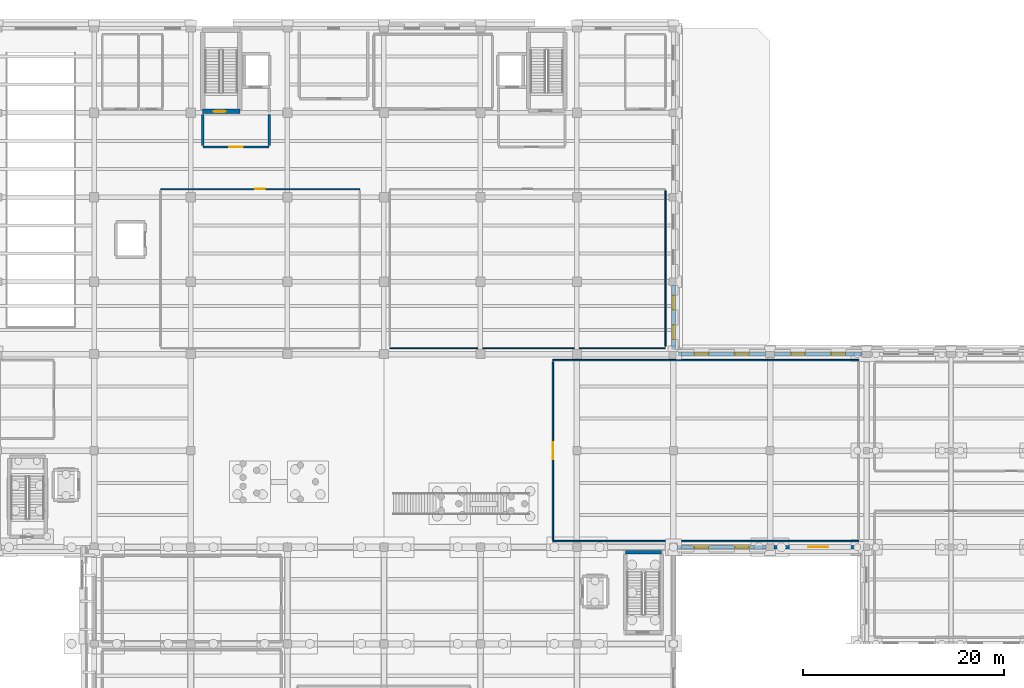
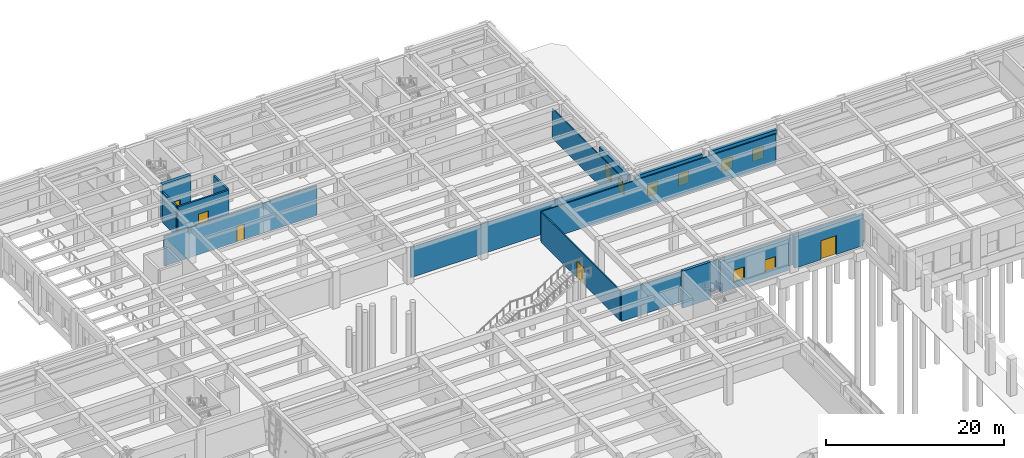
# One storey, part 34 of 51: 16 walls, 8 windows, 5 doors, 13 openings.
"""IFC4 building model written with IfcOpenShell, lengths in metres."""

import ifcopenshell
import ifcopenshell.guid

model = None  # the IFC model being written
_history = None  # IfcOwnerHistory: only IFC2X3 demands one
_inside = {}  # id of a spatial element -> (the spatial element, [elements in it])
_under = {}  # id of a project, library or spatial element -> (it, [spatial elements below it])
_declared = {}  # id of a project -> (the project, [libraries it declares])
_typed = {}  # id of a type object -> (the type object, [elements of that type])
_made_of = {}  # id of a material, layer set ... -> (it, [elements and type objects made of it])


def new_model(schema):
    """Start an empty IFC model of exactly this schema.

    Asked for "IFC4X3", IfcOpenShell would pick the latest addendum, in which some entities
    have other attributes; the version numbers below select the first issue.
    IFC2X3 requires an IfcOwnerHistory on every rooted entity: one is made here for all.
    """
    global model, _history
    if schema == "IFC4X3":
        model = ifcopenshell.file(schema_version=(4, 3, 0, 0))
    else:
        model = ifcopenshell.file(schema=schema)
    _inside.clear()
    _under.clear()
    _declared.clear()
    _typed.clear()
    _made_of.clear()
    _history = None
    if model.schema == "IFC2X3":
        org = make("IfcOrganization", Name="unknown")
        user = make(
            "IfcPersonAndOrganization",
            ThePerson=make("IfcPerson", FamilyName="unknown"),
            TheOrganization=org,
        )
        app = make(
            "IfcApplication",
            ApplicationDeveloper=org,
            Version="unknown",
            ApplicationFullName="unknown",
            ApplicationIdentifier="unknown",
        )
        _history = make(
            "IfcOwnerHistory",
            OwningUser=user,
            OwningApplication=app,
            ChangeAction="ADDED",
            CreationDate=0,
        )
    return model


def make(cls, **values):
    """One entity of the class cls with the attributes given. An attribute that is None is left unset."""
    return model.create_entity(
        cls, **{name: value for name, value in values.items() if value is not None}
    )


def rooted(cls, **values):
    """An entity with a GlobalId (a new one), such as an element, a storey or a relation."""
    return make(cls, GlobalId=ifcopenshell.guid.new(), OwnerHistory=_history, **values)


def si_unit(unit_type, name, prefix=None):
    """IfcSIUnit, for example si_unit("LENGTHUNIT", "METRE", prefix="MILLI")."""
    return make("IfcSIUnit", UnitType=unit_type, Prefix=prefix, Name=name)


def assignment(units):
    """IfcUnitAssignment: the units of a project."""
    return None if units is None else make("IfcUnitAssignment", Units=units)


def point(xyz):
    """IfcCartesianPoint."""
    return None if xyz is None else make("IfcCartesianPoint", Coordinates=xyz)


def direction(xyz):
    """IfcDirection."""
    return None if xyz is None else make("IfcDirection", DirectionRatios=xyz)


def frame(location, z_axis=None, x_axis=None):
    """IfcAxis2Placement3D, a coordinate frame: its origin and axes. An axis left out is left unset."""
    return make(
        "IfcAxis2Placement3D",
        Location=point(location),
        Axis=direction(z_axis),
        RefDirection=direction(x_axis),
    )


def frame_2d(location, x_axis=None):
    """IfcAxis2Placement2D, a coordinate frame in the plane: its origin and x axis."""
    return make(
        "IfcAxis2Placement2D", Location=point(location), RefDirection=direction(x_axis)
    )


def origin():
    """The frame at (0, 0, 0) with its axes left unset."""
    return frame((0.0, 0.0, 0.0))


def place(relative_to, where):
    """IfcLocalPlacement: puts the frame where relative to a parent placement (None: the world)."""
    return make(
        "IfcLocalPlacement", PlacementRelTo=relative_to, RelativePlacement=where
    )


def context(
    kind, dimensions, precision=None, world=None, true_north=None, identifier=None
):
    """IfcGeometricRepresentationContext, for example the 3D "Model" context."""
    return make(
        "IfcGeometricRepresentationContext",
        ContextIdentifier=identifier,
        ContextType=kind,
        CoordinateSpaceDimension=dimensions,
        Precision=precision,
        WorldCoordinateSystem=world,
        TrueNorth=true_north,
    )


def subcontext(parent, identifier, kind, view, scale=None):
    """IfcGeometricRepresentationSubContext, for example "Body" below "Model"."""
    return make(
        "IfcGeometricRepresentationSubContext",
        ContextIdentifier=identifier,
        ContextType=kind,
        ParentContext=parent,
        TargetScale=scale,
        TargetView=view,
    )


def project(units=None, contexts=None):
    """IfcProject with its units and contexts."""
    return rooted(
        "IfcProject",
        Name="project",
        RepresentationContexts=contexts,
        UnitsInContext=assignment(units),
    )


def spatial(cls, under=None, at=None, **own):
    """A site, building, storey or space (cls), placed at a placement, below another one or the project."""
    s = rooted(cls, ObjectPlacement=at, **own)
    if under is not None:
        _under.setdefault(under.id(), (under, []))[1].append(s)
    return s


def profile(cls, at=None, kind="AREA", **sizes):
    """A parametric profile (cls). Its sizes go by their IFC names, for example OverallWidth=200.0."""
    return make(cls, ProfileType=kind, Position=at, **sizes)


def rectangle(**sizes):
    """IfcRectangleProfileDef."""
    return profile("IfcRectangleProfileDef", **sizes)


def extrude(swept, where, along, depth):
    """IfcExtrudedAreaSolid: the profile swept, set in the frame where, extruded along a direction by depth."""
    return make(
        "IfcExtrudedAreaSolid",
        SweptArea=swept,
        Position=where,
        ExtrudedDirection=direction(along),
        Depth=depth,
    )


def shape(context_of_items, identifier, shape_type, items):
    """IfcShapeRepresentation: the items that make up one representation, for example the "Body"."""
    return make(
        "IfcShapeRepresentation",
        ContextOfItems=context_of_items,
        RepresentationIdentifier=identifier,
        RepresentationType=shape_type,
        Items=items,
    )


def material(Name=None, Category=None):
    """IfcMaterial."""
    return make("IfcMaterial", Name=Name, Category=Category)


def layer(
    of_material, thickness, ventilated=None, Name=None, Category=None, Priority=None
):
    """IfcMaterialLayer: one layer of a wall or slab, of a material (None: an air gap)."""
    return make(
        "IfcMaterialLayer",
        Material=of_material,
        LayerThickness=thickness,
        IsVentilated=ventilated,
        Name=Name,
        Category=Category,
        Priority=Priority,
    )


def layer_set(layers, Name=None):
    """IfcMaterialLayerSet."""
    return make("IfcMaterialLayerSet", MaterialLayers=layers, LayerSetName=Name)


def made_of(thing, what):
    """Note that an element or type object is made of a material, layer set ...; save() writes the relation."""
    if what is not None:
        _made_of.setdefault(what.id(), (what, []))[1].append(thing)
    return thing


def type_object(cls, material=None, **own):
    """A type object (cls), such as IfcWallType, which elements share."""
    return made_of(rooted(cls, **own), material)


def element(
    cls,
    number,
    at=None,
    inside=None,
    cuts=None,
    type_object=None,
    material=None,
    context=None,
    identifier="Body",
    shape_type=None,
    held_by="IfcProductDefinitionShape",
    body=None,
    shapes=None,
    **own,
):
    """One element of the class cls, such as IfcWall. Its Tag is "e" and its number.

    at: its placement. inside: the storey or other place that contains it. cuts: it is an
    opening in that element (IfcRelVoidsElement). A single representation is given by context,
    identifier, shape_type and body (its items); several are given by shapes. held_by: the class
    of the entity that holds the representations. save() writes the other relations.
    """
    e = rooted(cls, Tag="e%d" % number, ObjectPlacement=at, **own)
    if body is not None:
        shapes = [shape(context, identifier, shape_type, body)]
    if shapes is not None:
        e.Representation = make(held_by, Representations=shapes)
    if inside is not None:
        _inside.setdefault(inside.id(), (inside, []))[1].append(e)
    if cuts is not None:
        rooted(
            "IfcRelVoidsElement", RelatingBuildingElement=cuts, RelatedOpeningElement=e
        )
    if type_object is not None:
        _typed.setdefault(type_object.id(), (type_object, []))[1].append(e)
    return made_of(e, material)


def fill(opening, filler):
    """IfcRelFillsElement: the door or window that sits in an opening."""
    return rooted(
        "IfcRelFillsElement",
        RelatingOpeningElement=opening,
        RelatedBuildingElement=filler,
    )


def aggregate(whole, parts):
    """IfcRelAggregates: a whole, such as a stair, and the parts it consists of."""
    return rooted("IfcRelAggregates", RelatingObject=whole, RelatedObjects=parts)


def save(model, path):
    """Write the relations noted so far, then the file.

    IfcRelAggregates (storeys below a building ...), IfcRelContainedInSpatialStructure (elements
    in a storey), IfcRelDefinesByType, IfcRelAssociatesMaterial and IfcRelDeclares: one each for
    every whole, place, type object, material and project.
    """
    for whole, parts in _under.values():
        aggregate(whole, parts)
    for where, things in _inside.values():
        rooted(
            "IfcRelContainedInSpatialStructure",
            RelatedElements=things,
            RelatingStructure=where,
        )
    for kind, things in _typed.values():
        rooted("IfcRelDefinesByType", RelatedObjects=things, RelatingType=kind)
    for what, things in _made_of.values():
        rooted("IfcRelAssociatesMaterial", RelatedObjects=things, RelatingMaterial=what)
    for by, libraries in _declared.values():
        rooted("IfcRelDeclares", RelatingContext=by, RelatedDefinitions=libraries)
    model.write(path)


model = new_model("IFC4")

# Units and contexts
model_context = context("Model", 3, precision=1e-05, world=origin(), true_north=direction((0.0, 1.0)))
body_context = subcontext(model_context, "Body", "Model", "MODEL_VIEW")
ifc_project = project(units=[si_unit("LENGTHUNIT", "METRE"), si_unit("AREAUNIT", "SQUARE_METRE"), si_unit("VOLUMEUNIT", "CUBIC_METRE"), si_unit("PLANEANGLEUNIT", "RADIAN"), si_unit("MASSUNIT", "GRAM", prefix="KILO")], contexts=[model_context])

# Site, building, storey
site_placement = place(None, origin())
site = spatial("IfcSite", under=ifc_project, at=site_placement, CompositionType="ELEMENT")
building_placement = place(site_placement, origin())
building = spatial("IfcBuilding", under=site, at=building_placement, Name="Bempovik Park Faculty of Sciences", CompositionType="ELEMENT")
storey_placement = place(building_placement, origin())
storey = spatial("IfcBuildingStorey", under=building, at=storey_placement, Name="L00", CompositionType="ELEMENT", Elevation=0.0)

# Wall, opening, door
ifc_material_1 = material(Name="Concrete C40/50", Category="concrete")
ifc_layer_1 = layer(ifc_material_1, 0.449951171875)
ifc_layer_set_1 = layer_set([ifc_layer_1], Name="Concrete C40/50")
wall_type_1 = type_object("IfcWallType", Name="W-15 Wall 450mm", PredefinedType="SHEAR", material=ifc_layer_set_1)
wall_1_placement = place(storey_placement, frame((70.77490234375, 111.14990234375, 0.0), z_axis=(0.0, 0.0, 1.0), x_axis=(1.0, 0.0, 0.0)))
wall_1 = element("IfcWall", 1, at=wall_1_placement, inside=storey, type_object=wall_type_1, Name="ST-1 L00 Core Shear Wall South", PredefinedType="SHEAR", context=body_context, shape_type="SweptSolid", body=[
    extrude(rectangle(XDim=3.7001953125, YDim=0.449951171875, at=frame_2d((1.85009765625, 0.0))), origin(), (0.0, 0.0, 1.0), 5.080078125),
])
opening_1_placement = place(wall_1_placement, frame((1.10009765625, 0.0, 0.0)))
opening_1 = element("IfcOpeningElement", 2, at=opening_1_placement, cuts=wall_1, Name="Opening D-49", PredefinedType="OPENING", context=body_context, shape_type="SweptSolid", body=[
    extrude(rectangle(XDim=1.199951171875, YDim=2.199951171875, at=frame_2d((0.60009765625, 1.10009765625))), frame((0.0, 0.23486328125, 0.0), z_axis=(0.0, -1.0, 0.0), x_axis=(1.0, 0.0, 0.0)), (0.0, 0.0, 1.0), 0.469970703125),
])
ifc_material_2 = material(Name="Painted steel S355", Category="steel")
door_type_1 = type_object("IfcDoorType", Name="D-49 Door 1200x2200", OperationType="NOTDEFINED", PredefinedType="DOOR", material=ifc_material_2)
door_1_placement = place(opening_1_placement, origin())
door_1 = element("IfcDoor", 3, at=door_1_placement, inside=storey, type_object=door_type_1, Name="ST-1 L00 Protected Stair Smoke Door", OperationType="SINGLE_SWING_RIGHT", OverallHeight=2.199951171875, OverallWidth=1.199951171875, PredefinedType="DOOR", context=body_context, shape_type="SweptSolid", body=[
    extrude(rectangle(XDim=1.199951171875, YDim=2.199951171875, at=frame_2d((0.60009765625, 1.10009765625))), frame((0.0, 0.02490234375, 0.0), z_axis=(0.0, -1.0, 0.0), x_axis=(1.0, 0.0, 0.0)), (0.0, 0.0, 1.0), 0.050048828125),
])
fill(opening_1, door_1)

ifc_material_3 = material(Name="Gypsum acoustic stud assembly")
ifc_layer_2 = layer(ifc_material_3, 0.1201171875)
ifc_layer_set_2 = layer_set([ifc_layer_2], Name="Gypsum acoustic stud assembly")
wall_type_2 = type_object("IfcWallType", Name="W-17 Wall 120mm", PredefinedType="PARTITIONING", material=ifc_layer_set_2)
wall_2_placement = place(storey_placement, frame((66.60009765625, 103.39990234375, 0.0), z_axis=(0.0, 0.0, 1.0), x_axis=(1.0, 0.0, 0.0)))
wall_2 = element("IfcWall", 4, at=wall_2_placement, inside=storey, type_object=wall_type_2, Name="L00 Faculty Admissions and Student Services Office Partition North", PredefinedType="PARTITIONING", context=body_context, shape_type="SweptSolid", body=[
    extrude(rectangle(XDim=19.7998046875, YDim=0.1201171875, at=frame_2d((9.89990234375, 0.0))), origin(), (0.0, 0.0, 1.0), 4.1201171875),
])
opening_2_placement = place(wall_2_placement, frame((9.425048828125, 0.0, 0.0)))
opening_2 = element("IfcOpeningElement", 5, at=opening_2_placement, cuts=wall_2, Name="Opening D-47", PredefinedType="OPENING", context=body_context, shape_type="SweptSolid", body=[
    extrude(rectangle(XDim=0.949951171875, YDim=2.14990234375, at=frame_2d((0.47509765625, 1.074951171875))), frame((0.0, 0.070068359375, 0.0), z_axis=(0.0, -1.0, 0.0), x_axis=(1.0, 0.0, 0.0)), (0.0, 0.0, 1.0), 0.14013671875),
])
ifc_material_4 = material(Name="West African hardwood finish", Category="wood")
door_type_2 = type_object("IfcDoorType", Name="D-47 Door 950x2150", OperationType="NOTDEFINED", PredefinedType="DOOR", material=ifc_material_4)
door_2_placement = place(opening_2_placement, origin())
door_2 = element("IfcDoor", 6, at=door_2_placement, inside=storey, type_object=door_type_2, Name="L00 Faculty Admissions and Student Services Office Door", OperationType="SINGLE_SWING_RIGHT", OverallHeight=2.14990234375, OverallWidth=0.949951171875, PredefinedType="DOOR", context=body_context, shape_type="SweptSolid", body=[
    extrude(rectangle(XDim=0.949951171875, YDim=2.14990234375, at=frame_2d((0.47509765625, 1.074951171875))), frame((0.0, 0.02490234375, 0.0), z_axis=(0.0, -1.0, 0.0), x_axis=(1.0, 0.0, 0.0)), (0.0, 0.0, 1.0), 0.050048828125),
])
fill(opening_2, door_2)

# Walls
wall_3_placement = place(storey_placement, frame((89.39990234375, 87.60009765625, 0.0), z_axis=(0.0, 0.0, 1.0), x_axis=(1.0, 0.0, 0.0)))
element("IfcWall", 7, at=wall_3_placement, inside=storey, type_object=wall_type_2, Name="L00 Academic Faculty Administration Suite Partition South", PredefinedType="PARTITIONING", context=body_context, shape_type="SweptSolid", body=[
    extrude(rectangle(XDim=27.400146484375, YDim=0.1201171875, at=frame_2d((13.7001953125, 0.0))), origin(), (0.0, 0.0, 1.0), 4.1201171875),
])
wall_4_placement = place(storey_placement, frame((116.800048828125, 87.760009765625, 0.0), z_axis=(0.0, 0.0, 1.0), x_axis=(0.0, 1.0, 0.0)))
element("IfcWall", 8, at=wall_4_placement, inside=storey, type_object=wall_type_2, Name="L00 Academic Faculty Administration Suite Partition East", PredefinedType="PARTITIONING", context=body_context, shape_type="SweptSolid", body=[
    extrude(rectangle(XDim=15.47998046875, YDim=0.1201171875, at=frame_2d((7.739990234375, 0.0))), origin(), (0.0, 0.0, 1.0), 4.1201171875),
])

# Wall, openings, windows
ifc_material_5 = material(Name="Precast concrete C40/50", Category="concrete")
ifc_layer_3 = layer(ifc_material_5, 0.3798828125)
ifc_layer_set_3 = layer_set([ifc_layer_3], Name="Precast concrete C40/50")
wall_type_3 = type_object("IfcWallType", Name="W-27 Wall 380mm", PredefinedType="SOLIDWALL", material=ifc_layer_set_3)
wall_5_placement = place(storey_placement, frame((117.60009765625, 87.451904296875, 0.0), z_axis=(0.0, 0.0, 1.0), x_axis=(0.0, 1.0, 0.0)))
wall_5 = element("IfcWall", 9, at=wall_5_placement, inside=storey, type_object=wall_type_3, Name="L00 Classical Precast Facade Wall EW-L00-5880", PredefinedType="SOLIDWALL", context=body_context, shape_type="SweptSolid", body=[
    extrude(rectangle(XDim=6.39599609375, YDim=0.3798828125, at=frame_2d((3.197998046875, 0.0))), origin(), (0.0, 0.0, 1.0), 4.280029296875),
])
opening_3_placement = place(wall_5_placement, frame((1.02685546875, 0.0, 0.85009765625)))
opening_3 = element("IfcOpeningElement", 10, at=opening_3_placement, cuts=wall_5, Name="Opening WN-84", PredefinedType="OPENING", context=body_context, shape_type="SweptSolid", body=[
    extrude(rectangle(XDim=1.39990234375, YDim=1.64990234375, at=frame_2d((0.699951171875, 0.824951171875))), frame((0.0, 0.199951171875, 0.0), z_axis=(0.0, -1.0, 0.0), x_axis=(1.0, 0.0, 0.0)), (0.0, 0.0, 1.0), 0.39990234375),
])
opening_4_placement = place(wall_5_placement, frame((3.968994140625, 0.0, 0.85009765625)))
opening_4 = element("IfcOpeningElement", 11, at=opening_4_placement, cuts=wall_5, Name="Opening WN-84", PredefinedType="OPENING", context=body_context, shape_type="SweptSolid", body=[
    extrude(rectangle(XDim=1.39990234375, YDim=1.64990234375, at=frame_2d((0.699951171875, 0.824951171875))), frame((0.0, 0.199951171875, 0.0), z_axis=(0.0, -1.0, 0.0), x_axis=(1.0, 0.0, 0.0)), (0.0, 0.0, 1.0), 0.39990234375),
])
ifc_material_6 = material(Name="Tempered laminated low-E glass", Category="glass")
window_type = type_object("IfcWindowType", Name="WN-84 Window 1400x1650", PartitioningType="SINGLE_PANEL", PredefinedType="WINDOW", material=ifc_material_6)
window_1_placement = place(opening_3_placement, origin())
window_1 = element("IfcWindow", 12, at=window_1_placement, inside=storey, type_object=window_type, Name="L00 Window EW-L00-5880-1", OverallHeight=1.64990234375, OverallWidth=1.39990234375, PartitioningType="SINGLE_PANEL", PredefinedType="WINDOW", context=body_context, shape_type="SweptSolid", body=[
    extrude(rectangle(XDim=1.39990234375, YDim=1.64990234375, at=frame_2d((0.699951171875, 0.824951171875))), frame((0.0, 0.030029296875, 0.0), z_axis=(0.0, -1.0, 0.0), x_axis=(1.0, 0.0, 0.0)), (0.0, 0.0, 1.0), 0.06005859375),
])
fill(opening_3, window_1)
window_2_placement = place(opening_4_placement, origin())
window_2 = element("IfcWindow", 13, at=window_2_placement, inside=storey, type_object=window_type, Name="L00 Window EW-L00-5880-2", OverallHeight=1.64990234375, OverallWidth=1.39990234375, PartitioningType="SINGLE_PANEL", PredefinedType="WINDOW", context=body_context, shape_type="SweptSolid", body=[
    extrude(rectangle(XDim=1.39990234375, YDim=1.64990234375, at=frame_2d((0.699951171875, 0.824951171875))), frame((0.0, 0.030029296875, 0.0), z_axis=(0.0, -1.0, 0.0), x_axis=(1.0, 0.0, 0.0)), (0.0, 0.0, 1.0), 0.06005859375),
])
fill(opening_4, window_2)

wall_6_placement = place(storey_placement, frame((118.052001953125, 87.0, 0.0), z_axis=(0.0, 0.0, 1.0), x_axis=(1.0, 0.0, 0.0)))
wall_6 = element("IfcWall", 14, at=wall_6_placement, inside=storey, type_object=wall_type_3, Name="L00 Classical Precast Facade Wall EW-L00-5921", PredefinedType="SOLIDWALL", context=body_context, shape_type="SweptSolid", body=[
    extrude(rectangle(XDim=8.696044921875, YDim=0.3798828125, at=frame_2d((4.34814453125, 0.0))), origin(), (0.0, 0.0, 1.0), 4.280029296875),
])
opening_5_placement = place(wall_6_placement, frame((1.64794921875, 0.0, 0.85009765625)))
opening_5 = element("IfcOpeningElement", 15, at=opening_5_placement, cuts=wall_6, Name="Opening WN-84", PredefinedType="OPENING", context=body_context, shape_type="SweptSolid", body=[
    extrude(rectangle(XDim=1.39990234375, YDim=1.64990234375, at=frame_2d((0.699951171875, 0.824951171875))), frame((0.0, 0.199951171875, 0.0), z_axis=(0.0, -1.0, 0.0), x_axis=(1.0, 0.0, 0.0)), (0.0, 0.0, 1.0), 0.39990234375),
])
opening_6_placement = place(wall_6_placement, frame((5.648193359375, 0.0, 0.85009765625)))
opening_6 = element("IfcOpeningElement", 16, at=opening_6_placement, cuts=wall_6, Name="Opening WN-84", PredefinedType="OPENING", context=body_context, shape_type="SweptSolid", body=[
    extrude(rectangle(XDim=1.39990234375, YDim=1.64990234375, at=frame_2d((0.699951171875, 0.824951171875))), frame((0.0, 0.199951171875, 0.0), z_axis=(0.0, -1.0, 0.0), x_axis=(1.0, 0.0, 0.0)), (0.0, 0.0, 1.0), 0.39990234375),
])
window_3_placement = place(opening_5_placement, origin())
window_3 = element("IfcWindow", 17, at=window_3_placement, inside=storey, type_object=window_type, Name="L00 Window EW-L00-5921-1", OverallHeight=1.64990234375, OverallWidth=1.39990234375, PartitioningType="SINGLE_PANEL", PredefinedType="WINDOW", context=body_context, shape_type="SweptSolid", body=[
    extrude(rectangle(XDim=1.39990234375, YDim=1.64990234375, at=frame_2d((0.699951171875, 0.824951171875))), frame((0.0, 0.030029296875, 0.0), z_axis=(0.0, -1.0, 0.0), x_axis=(1.0, 0.0, 0.0)), (0.0, 0.0, 1.0), 0.06005859375),
])
fill(opening_5, window_3)
window_4_placement = place(opening_6_placement, origin())
window_4 = element("IfcWindow", 18, at=window_4_placement, inside=storey, type_object=window_type, Name="L00 Window EW-L00-5921-2", OverallHeight=1.64990234375, OverallWidth=1.39990234375, PartitioningType="SINGLE_PANEL", PredefinedType="WINDOW", context=body_context, shape_type="SweptSolid", body=[
    extrude(rectangle(XDim=1.39990234375, YDim=1.64990234375, at=frame_2d((0.699951171875, 0.824951171875))), frame((0.0, 0.030029296875, 0.0), z_axis=(0.0, -1.0, 0.0), x_axis=(1.0, 0.0, 0.0)), (0.0, 0.0, 1.0), 0.06005859375),
])
fill(opening_6, window_4)

wall_7_placement = place(storey_placement, frame((127.652099609375, 87.0, 0.0), z_axis=(0.0, 0.0, 1.0), x_axis=(1.0, 0.0, 0.0)))
wall_7 = element("IfcWall", 19, at=wall_7_placement, inside=storey, type_object=wall_type_3, Name="L00 Classical Precast Facade Wall EW-L00-5932", PredefinedType="SOLIDWALL", context=body_context, shape_type="SweptSolid", body=[
    extrude(rectangle(XDim=8.69580078125, YDim=0.3798828125, at=frame_2d((4.347900390625, 0.0))), origin(), (0.0, 0.0, 1.0), 4.280029296875),
])
opening_7_placement = place(wall_7_placement, frame((1.64794921875, 0.0, 0.85009765625)))
opening_7 = element("IfcOpeningElement", 20, at=opening_7_placement, cuts=wall_7, Name="Opening WN-84", PredefinedType="OPENING", context=body_context, shape_type="SweptSolid", body=[
    extrude(rectangle(XDim=1.39990234375, YDim=1.64990234375, at=frame_2d((0.699951171875, 0.824951171875))), frame((0.0, 0.199951171875, 0.0), z_axis=(0.0, -1.0, 0.0), x_axis=(1.0, 0.0, 0.0)), (0.0, 0.0, 1.0), 0.39990234375),
])
opening_8_placement = place(wall_7_placement, frame((5.648193359375, 0.0, 0.85009765625)))
opening_8 = element("IfcOpeningElement", 21, at=opening_8_placement, cuts=wall_7, Name="Opening WN-84", PredefinedType="OPENING", context=body_context, shape_type="SweptSolid", body=[
    extrude(rectangle(XDim=1.39990234375, YDim=1.64990234375, at=frame_2d((0.699951171875, 0.824951171875))), frame((0.0, 0.199951171875, 0.0), z_axis=(0.0, -1.0, 0.0), x_axis=(1.0, 0.0, 0.0)), (0.0, 0.0, 1.0), 0.39990234375),
])
window_5_placement = place(opening_7_placement, origin())
window_5 = element("IfcWindow", 22, at=window_5_placement, inside=storey, type_object=window_type, Name="L00 Window EW-L00-5932-1", OverallHeight=1.64990234375, OverallWidth=1.39990234375, PartitioningType="SINGLE_PANEL", PredefinedType="WINDOW", context=body_context, shape_type="SweptSolid", body=[
    extrude(rectangle(XDim=1.39990234375, YDim=1.64990234375, at=frame_2d((0.699951171875, 0.824951171875))), frame((0.0, 0.030029296875, 0.0), z_axis=(0.0, -1.0, 0.0), x_axis=(1.0, 0.0, 0.0)), (0.0, 0.0, 1.0), 0.06005859375),
])
fill(opening_7, window_5)
window_6_placement = place(opening_8_placement, origin())
window_6 = element("IfcWindow", 23, at=window_6_placement, inside=storey, type_object=window_type, Name="L00 Window EW-L00-5932-2", OverallHeight=1.64990234375, OverallWidth=1.39990234375, PartitioningType="SINGLE_PANEL", PredefinedType="WINDOW", context=body_context, shape_type="SweptSolid", body=[
    extrude(rectangle(XDim=1.39990234375, YDim=1.64990234375, at=frame_2d((0.699951171875, 0.824951171875))), frame((0.0, 0.030029296875, 0.0), z_axis=(0.0, -1.0, 0.0), x_axis=(1.0, 0.0, 0.0)), (0.0, 0.0, 1.0), 0.06005859375),
])
fill(opening_8, window_6)

wall_8_placement = place(storey_placement, frame((118.001953125, 67.800048828125, 0.0), z_axis=(0.0, 0.0, 1.0), x_axis=(1.0, 0.0, 0.0)))
wall_8 = element("IfcWall", 24, at=wall_8_placement, inside=storey, type_object=wall_type_3, Name="L00 Classical Precast Facade Wall EW-L00-6051", PredefinedType="SOLIDWALL", context=body_context, shape_type="SweptSolid", body=[
    extrude(rectangle(XDim=8.796142578125, YDim=0.3798828125, at=frame_2d((4.39794921875, 0.0))), origin(), (0.0, 0.0, 1.0), 4.280029296875),
])
opening_9_placement = place(wall_8_placement, frame((1.6748046875, 0.0, 0.85009765625)))
opening_9 = element("IfcOpeningElement", 25, at=opening_9_placement, cuts=wall_8, Name="Opening WN-84", PredefinedType="OPENING", context=body_context, shape_type="SweptSolid", body=[
    extrude(rectangle(XDim=1.39990234375, YDim=1.64990234375, at=frame_2d((0.699951171875, 0.824951171875))), frame((0.0, 0.199951171875, 0.0), z_axis=(0.0, -1.0, 0.0), x_axis=(1.0, 0.0, 0.0)), (0.0, 0.0, 1.0), 0.39990234375),
])
opening_10_placement = place(wall_8_placement, frame((5.72119140625, 0.0, 0.85009765625)))
opening_10 = element("IfcOpeningElement", 26, at=opening_10_placement, cuts=wall_8, Name="Opening WN-84", PredefinedType="OPENING", context=body_context, shape_type="SweptSolid", body=[
    extrude(rectangle(XDim=1.39990234375, YDim=1.64990234375, at=frame_2d((0.699951171875, 0.824951171875))), frame((0.0, 0.199951171875, 0.0), z_axis=(0.0, -1.0, 0.0), x_axis=(1.0, 0.0, 0.0)), (0.0, 0.0, 1.0), 0.39990234375),
])
window_7_placement = place(opening_9_placement, origin())
window_7 = element("IfcWindow", 27, at=window_7_placement, inside=storey, type_object=window_type, Name="L00 Window EW-L00-6051-1", OverallHeight=1.64990234375, OverallWidth=1.39990234375, PartitioningType="SINGLE_PANEL", PredefinedType="WINDOW", context=body_context, shape_type="SweptSolid", body=[
    extrude(rectangle(XDim=1.39990234375, YDim=1.64990234375, at=frame_2d((0.699951171875, 0.824951171875))), frame((0.0, 0.030029296875, 0.0), z_axis=(0.0, -1.0, 0.0), x_axis=(1.0, 0.0, 0.0)), (0.0, 0.0, 1.0), 0.06005859375),
])
fill(opening_9, window_7)
window_8_placement = place(opening_10_placement, origin())
window_8 = element("IfcWindow", 28, at=window_8_placement, inside=storey, type_object=window_type, Name="L00 Window EW-L00-6051-2", OverallHeight=1.64990234375, OverallWidth=1.39990234375, PartitioningType="SINGLE_PANEL", PredefinedType="WINDOW", context=body_context, shape_type="SweptSolid", body=[
    extrude(rectangle(XDim=1.39990234375, YDim=1.64990234375, at=frame_2d((0.699951171875, 0.824951171875))), frame((0.0, 0.030029296875, 0.0), z_axis=(0.0, -1.0, 0.0), x_axis=(1.0, 0.0, 0.0)), (0.0, 0.0, 1.0), 0.06005859375),
])
fill(opening_10, window_8)

# Wall, opening, door
wall_9_placement = place(storey_placement, frame((127.60205078125, 67.800048828125, 0.0), z_axis=(0.0, 0.0, 1.0), x_axis=(1.0, 0.0, 0.0)))
wall_9 = element("IfcWall", 29, at=wall_9_placement, inside=storey, type_object=wall_type_3, Name="L00 Classical Precast Facade Wall EW-L00-6062", PredefinedType="SOLIDWALL", context=body_context, shape_type="SweptSolid", body=[
    extrude(rectangle(XDim=8.885986328125, YDim=0.3798828125, at=frame_2d((4.44287109375, 0.0))), origin(), (0.0, 0.0, 1.0), 4.280029296875),
])
opening_11_placement = place(wall_9_placement, frame((3.39794921875, 0.0, 0.0)))
opening_11 = element("IfcOpeningElement", 30, at=opening_11_placement, cuts=wall_9, Name="Opening D-54", PredefinedType="OPENING", context=body_context, shape_type="SweptSolid", body=[
    extrude(rectangle(XDim=2.0, YDim=2.60009765625, at=frame_2d((1.0, 1.300048828125))), frame((0.0, 0.199951171875, 0.0), z_axis=(0.0, -1.0, 0.0), x_axis=(1.0, 0.0, 0.0)), (0.0, 0.0, 1.0), 0.39990234375),
])
ifc_material_7 = material(Name="Anodised architectural bronze")
door_type_3 = type_object("IfcDoorType", Name="D-54 Door 2000x2600", OperationType="NOTDEFINED", PredefinedType="DOOR", material=ifc_material_7)
door_3_placement = place(opening_11_placement, frame((2.0, 0.0, 0.0), z_axis=(0.0, 0.0, 1.0), x_axis=(-1.0, 0.0, 0.0)))
door_3 = element("IfcDoor", 31, at=door_3_placement, inside=storey, type_object=door_type_3, Name="East Park Court Concourse Entrance", OperationType="DOUBLE_DOOR_SINGLE_SWING", OverallHeight=2.60009765625, OverallWidth=2.0, PredefinedType="DOOR", context=body_context, shape_type="SweptSolid", body=[
    extrude(rectangle(XDim=2.0, YDim=2.60009765625, at=frame_2d((1.0, 1.300048828125))), frame((0.0, 0.02490234375, 0.0), z_axis=(0.0, -1.0, 0.0), x_axis=(1.0, 0.0, 0.0)), (0.0, 0.0, 1.0), 0.050048828125),
])
fill(opening_11, door_3)

ifc_material_8 = material(Name="Concrete C35/45", Category="concrete")
ifc_layer_4 = layer(ifc_material_8, 0.219970703125)
ifc_layer_set_4 = layer_set([ifc_layer_4], Name="Concrete C35/45")
wall_type_4 = type_object("IfcWallType", Name="W-38 Wall 220mm", PredefinedType="PARTITIONING", material=ifc_layer_set_4)
wall_10_placement = place(storey_placement, frame((70.800048828125, 107.60009765625, 0.0), z_axis=(0.0, 0.0, 1.0), x_axis=(1.0, 0.0, 0.0)))
wall_10 = element("IfcWall", 32, at=wall_10_placement, inside=storey, type_object=wall_type_4, Name="L00 Firefighting Lift Lobby West Partition South", PredefinedType="PARTITIONING", context=body_context, shape_type="SweptSolid", body=[
    extrude(rectangle(XDim=6.599853515625, YDim=0.219970703125, at=frame_2d((3.2998046875, 0.0))), origin(), (0.0, 0.0, 1.0), 4.1201171875),
])
opening_12_placement = place(wall_10_placement, frame((2.64990234375, 0.0, 0.0)))
opening_12 = element("IfcOpeningElement", 33, at=opening_12_placement, cuts=wall_10, Name="Opening D-38", PredefinedType="OPENING", context=body_context, shape_type="SweptSolid", body=[
    extrude(rectangle(XDim=1.300048828125, YDim=2.199951171875, at=frame_2d((0.64990234375, 1.10009765625))), frame((0.0, 0.1201171875, 0.0), z_axis=(0.0, -1.0, 0.0), x_axis=(1.0, 0.0, 0.0)), (0.0, 0.0, 1.0), 0.239990234375),
])
door_type_4 = type_object("IfcDoorType", Name="D-38 Door 1300x2200", OperationType="NOTDEFINED", PredefinedType="DOOR", material=ifc_material_2)
door_4_placement = place(opening_12_placement, origin())
door_4 = element("IfcDoor", 34, at=door_4_placement, inside=storey, type_object=door_type_4, Name="L00 Firefighting Lift Lobby West Door", OperationType="SINGLE_SWING_RIGHT", OverallHeight=2.199951171875, OverallWidth=1.300048828125, PredefinedType="DOOR", context=body_context, shape_type="SweptSolid", body=[
    extrude(rectangle(XDim=1.300048828125, YDim=2.199951171875, at=frame_2d((0.64990234375, 1.10009765625))), frame((0.0, 0.02490234375, 0.0), z_axis=(0.0, -1.0, 0.0), x_axis=(1.0, 0.0, 0.0)), (0.0, 0.0, 1.0), 0.050048828125),
])
fill(opening_12, door_4)

# Walls
for number, where, z_axis, x_axis, name in (
    (35, (70.800048828125, 107.760009765625, 0.0), (0.0, 0.0, 1.0), (0.0, 1.0, 0.0), "L00 Firefighting Lift Lobby West Partition West"),
    (36, (77.39990234375, 107.760009765625, 0.0), (0.0, 0.0, 1.0), (0.0, 1.0, 0.0), "L00 Firefighting Lift Lobby West Partition East"),
):
    element("IfcWall", number, at=place(storey_placement, frame(where, z_axis=z_axis, x_axis=x_axis)), inside=storey, type_object=wall_type_4, Name=name, PredefinedType="PARTITIONING", context=body_context, shape_type="SweptSolid", body=[
        extrude(rectangle(XDim=3.080078125, YDim=0.219970703125, at=frame_2d((1.5400390625, 0.0))), origin(), (0.0, 0.0, 1.0), 4.1201171875),
    ])
ifc_layer_5 = layer(ifc_material_3, 0.14990234375)
ifc_layer_set_5 = layer_set([ifc_layer_5], Name="Gypsum acoustic stud assembly")
wall_type_5 = type_object("IfcWallType", Name="W-42 Wall 150mm", PredefinedType="PARTITIONING", material=ifc_layer_set_5)
for number, where, z_axis, x_axis, name in (
    (37, (105.60009765625, 68.39990234375, 0.0), (0.0, 0.0, 1.0), (1.0, 0.0, 0.0), "L00 Community Science Exhibition Gallery Partition South"),
    (38, (105.60009765625, 86.39990234375, 0.0), (0.0, 0.0, 1.0), (1.0, 0.0, 0.0), "L00 Community Science Exhibition Gallery Partition North"),
):
    element("IfcWall", number, at=place(storey_placement, frame(where, z_axis=z_axis, x_axis=x_axis)), inside=storey, type_object=wall_type_5, Name=name, PredefinedType="PARTITIONING", context=body_context, shape_type="SweptSolid", body=[
        extrude(rectangle(XDim=30.39990234375, YDim=0.14990234375, at=frame_2d((15.199951171875, 0.0))), origin(), (0.0, 0.0, 1.0), 4.1201171875),
    ])

# Wall, opening, door
wall_11_placement = place(storey_placement, frame((105.60009765625, 68.56005859375, 0.0), z_axis=(0.0, 0.0, 1.0), x_axis=(0.0, 1.0, 0.0)))
wall_11 = element("IfcWall", 39, at=wall_11_placement, inside=storey, type_object=wall_type_5, Name="L00 Community Science Exhibition Gallery Partition West", PredefinedType="PARTITIONING", context=body_context, shape_type="SweptSolid", body=[
    extrude(rectangle(XDim=17.679931640625, YDim=0.14990234375, at=frame_2d((8.83984375, 0.0))), origin(), (0.0, 0.0, 1.0), 4.1201171875),
])
opening_13_placement = place(wall_11_placement, frame((7.989990234375, 0.0, 0.0)))
opening_13 = element("IfcOpeningElement", 40, at=opening_13_placement, cuts=wall_11, Name="Opening D-40", PredefinedType="OPENING", context=body_context, shape_type="SweptSolid", body=[
    extrude(rectangle(XDim=1.699951171875, YDim=2.300048828125, at=frame_2d((0.85009765625, 1.14990234375))), frame((0.0, 0.0849609375, 0.0), z_axis=(0.0, -1.0, 0.0), x_axis=(1.0, 0.0, 0.0)), (0.0, 0.0, 1.0), 0.169921875),
])
door_type_5 = type_object("IfcDoorType", Name="D-40 Door 1700x2300", OperationType="NOTDEFINED", PredefinedType="DOOR", material=ifc_material_7)
door_5_placement = place(opening_13_placement, origin())
door_5 = element("IfcDoor", 41, at=door_5_placement, inside=storey, type_object=door_type_5, Name="L00 Community Science Exhibition Gallery Door", OperationType="DOUBLE_DOOR_SINGLE_SWING", OverallHeight=2.300048828125, OverallWidth=1.699951171875, PredefinedType="DOOR", context=body_context, shape_type="SweptSolid", body=[
    extrude(rectangle(XDim=1.699951171875, YDim=2.300048828125, at=frame_2d((0.85009765625, 1.14990234375))), frame((0.0, 0.02490234375, 0.0), z_axis=(0.0, -1.0, 0.0), x_axis=(1.0, 0.0, 0.0)), (0.0, 0.0, 1.0), 0.050048828125),
])
fill(opening_13, door_5)

# Wall
ifc_layer_6 = layer(ifc_material_1, 0.35009765625)
ifc_layer_set_6 = layer_set([ifc_layer_6], Name="Concrete C40/50")
wall_type_6 = type_object("IfcWallType", Name="W-46 Wall 350mm", PredefinedType="SHEAR", material=ifc_layer_set_6)
wall_12_placement = place(storey_placement, frame((112.824951171875, 67.300048828125, 0.0), z_axis=(0.0, 0.0, 1.0), x_axis=(1.0, 0.0, 0.0)))
element("IfcWall", 42, at=wall_12_placement, inside=storey, type_object=wall_type_6, Name="ST-5 L00 Core Shear Wall North", PredefinedType="SHEAR", context=body_context, shape_type="SweptSolid", body=[
    extrude(rectangle(XDim=3.60009765625, YDim=0.35009765625, at=frame_2d((1.800048828125, 0.0))), origin(), (0.0, 0.0, 1.0), 5.080078125),
])

save(model, "model.ifc")
